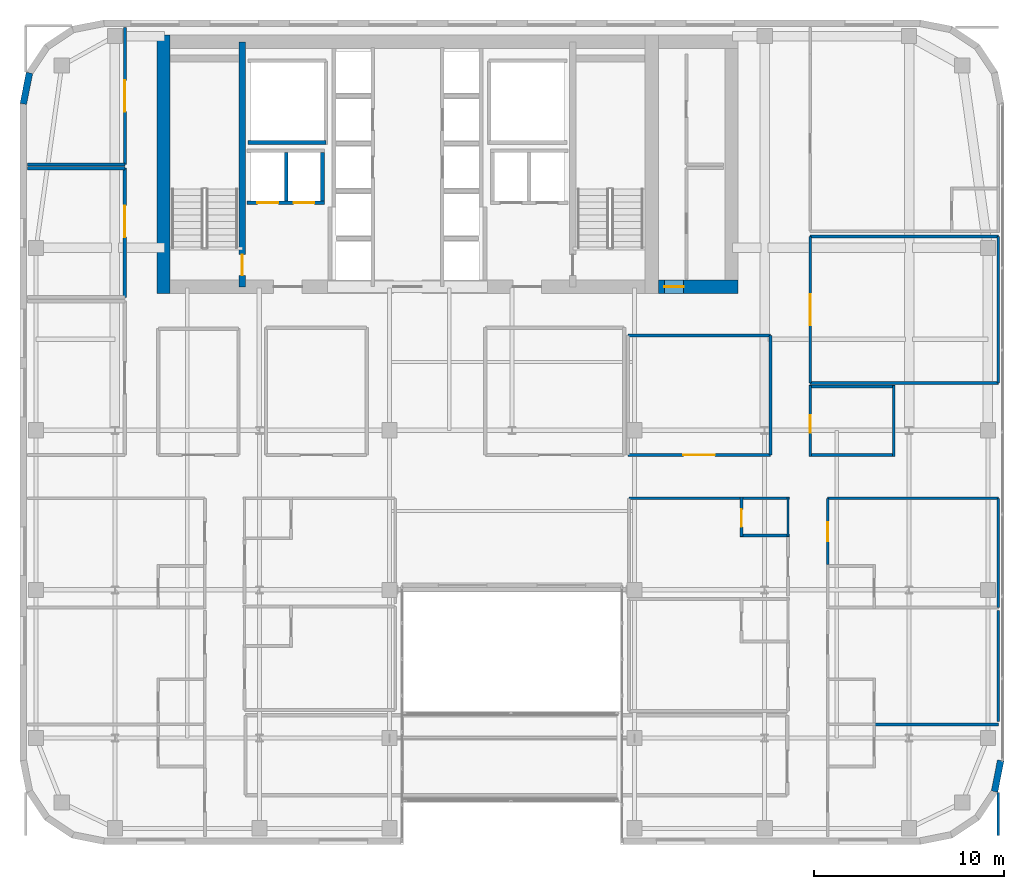
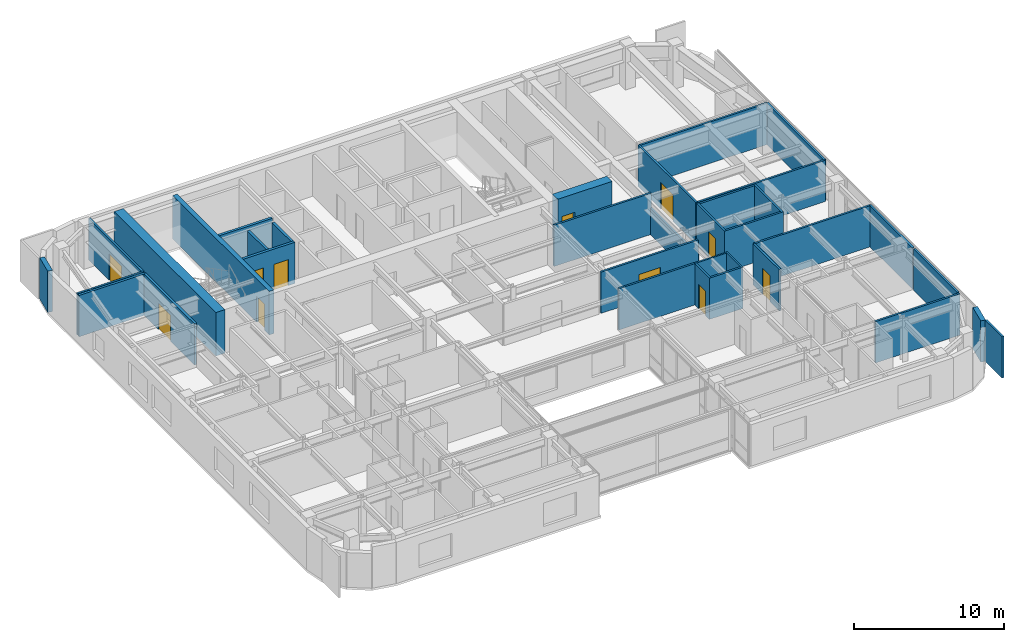
# One storey, part 16 of 20: 35 walls, 11 doors, 11 openings.
"""IFC4 building model written with IfcOpenShell, lengths in metres."""

from ifc_helpers import new_model, si_unit, direction, frame, frame_2d, origin, place, context, subcontext, project, spatial, rectangle, extrude, source, transform, mapped, material, layer, layer_set, type_object, type_shapes, element, fill, save


model = new_model("IFC4")

# Units and contexts
model_context = context("Model", 3, precision=1e-05, world=origin(), true_north=direction((0.0, 1.0)))
body_context = subcontext(model_context, "Body", "Model", "MODEL_VIEW")
ifc_project = project(units=[si_unit("LENGTHUNIT", "METRE"), si_unit("AREAUNIT", "SQUARE_METRE"), si_unit("VOLUMEUNIT", "CUBIC_METRE"), si_unit("PLANEANGLEUNIT", "RADIAN"), si_unit("MASSUNIT", "GRAM", prefix="KILO")], contexts=[model_context])

# Site, building, storey
site_placement = place(None, origin())
site = spatial("IfcSite", under=ifc_project, at=site_placement, CompositionType="ELEMENT")
building_placement = place(site_placement, origin())
building = spatial("IfcBuilding", under=site, at=building_placement, Name="Tolvann Quenvar Hotel", CompositionType="ELEMENT")
storey_placement = place(building_placement, frame((0.0, 0.0, 171.89990234375)))
storey = spatial("IfcBuildingStorey", under=building, at=storey_placement, Name="L45", CompositionType="ELEMENT", Elevation=171.89990234375)

# Wall
ifc_material_1 = material(Name="Concrete S65 (65 MPa)", Category="concrete")
ifc_layer_1 = layer(ifc_material_1, 0.699951171875)
ifc_layer_set_1 = layer_set([ifc_layer_1], Name="Concrete S65 (65 MPa)")
wall_type_1 = type_object("IfcWallType", Name="WALL_CORE_700", PredefinedType="SHEAR", material=ifc_layer_set_1)
wall_1_placement = place(storey_placement, frame((10.14990234375, 31.60009765625, 0.0), z_axis=(0.0, 0.0, 1.0), x_axis=(0.0, 1.0, 0.0)))
element("IfcWall", 1, at=wall_1_placement, inside=storey, type_object=wall_type_1, Name="Rear Core W Shear Wall (L45)", PredefinedType="SHEAR", context=body_context, shape_type="SweptSolid", body=[
    extrude(rectangle(XDim=13.599853515625, YDim=0.699951171875, at=frame_2d((6.7998046875, 0.0))), origin(), (0.0, 0.0, 1.0), 3.550048828125),
])

# Wall, opening, door
wall_2_placement = place(storey_placement, frame((36.199951171875, 31.949951171875, 0.0), z_axis=(0.0, 0.0, 1.0), x_axis=(1.0, 0.0, 0.0)))
wall_2 = element("IfcWall", 2, at=wall_2_placement, inside=storey, type_object=wall_type_1, Name="Core East Annex Shear Wall ANN-S (L45)", PredefinedType="SHEAR", context=body_context, shape_type="SweptSolid", body=[
    extrude(rectangle(XDim=4.199951171875, YDim=0.699951171875, at=frame_2d((2.10009765625, 0.0))), origin(), (0.0, 0.0, 1.0), 3.550048828125),
])
opening_1_placement = place(wall_2_placement, frame((1.340087890625, 0.0, 0.0), z_axis=(0.0, 0.0, 1.0), x_axis=(-1.0, 0.0, 0.0)))
opening_1 = element("IfcOpeningElement", 3, at=opening_1_placement, cuts=wall_2, Name="Opening HD-01", PredefinedType="OPENING", context=body_context, shape_type="SweptSolid", body=[
    extrude(rectangle(XDim=1.02001953125, YDim=2.030029296875, at=frame_2d((0.510009765625, 1.01513671875))), frame((0.0, 0.35986328125, 0.0), z_axis=(0.0, -1.0, 0.0), x_axis=(1.0, 0.0, 0.0)), (0.0, 0.0, 1.0), 0.719970703125),
])
ifc_material_2 = material(Name="Pressed galvanised steel fire-rated door set", Category="steel")
door_type_1 = type_object("IfcDoorType", Name="DOOR_BOH_1020", OperationType="NOTDEFINED", PredefinedType="DOOR", material=ifc_material_2)
shared_shape_1 = source(origin(), body_context, "Body", "SweptSolid", [
    extrude(rectangle(XDim=1.02001953125, YDim=2.030029296875, at=frame_2d((0.510009765625, 1.01513671875))), frame((0.0, 0.02490234375, 0.0), z_axis=(0.0, -1.0, 0.0), x_axis=(1.0, 0.0, 0.0)), (0.0, 0.0, 1.0), 0.050048828125),
])
type_shapes(door_type_1, [shared_shape_1])
door_1_placement = place(opening_1_placement, origin())
door_1 = element("IfcDoor", 4, at=door_1_placement, inside=storey, type_object=door_type_1, Name="Housekeeping Annex Fire Door (L45)", OperationType="SINGLE_SWING_RIGHT", OverallHeight=2.030029296875, OverallWidth=1.02001953125, PredefinedType="DOOR", context=body_context, shape_type="MappedRepresentation", body=[
    mapped(shared_shape_1, transform((0.0, 0.0, 0.0), x_axis=(1.0, 0.0, 0.0), y_axis=(0.0, 1.0, 0.0), z_axis=(0.0, 0.0, 1.0), scale=1.0)),
])
fill(opening_1, door_1)

ifc_layer_2 = layer(ifc_material_1, 0.35009765625)
ifc_layer_set_2 = layer_set([ifc_layer_2], Name="Concrete S65 (65 MPa)")
wall_type_2 = type_object("IfcWallType", Name="WALL_CORE_INT_350", PredefinedType="SHEAR", material=ifc_layer_set_2)
wall_3_placement = place(storey_placement, frame((14.300048828125, 31.949951171875, 0.0), z_axis=(0.0, 0.0, 1.0), x_axis=(0.0, 1.0, 0.0)))
wall_3 = element("IfcWall", 5, at=wall_3_placement, inside=storey, type_object=wall_type_2, Name="Core Internal Web Shear Wall WEB-W (L45)", PredefinedType="SHEAR", context=body_context, shape_type="SweptSolid", body=[
    extrude(rectangle(XDim=12.900146484375, YDim=0.35009765625, at=frame_2d((6.4501953125, 0.0))), origin(), (0.0, 0.0, 1.0), 3.550048828125),
])
opening_2_placement = place(wall_3_placement, frame((0.60009765625, 0.0, 0.0)))
opening_2 = element("IfcOpeningElement", 6, at=opening_2_placement, cuts=wall_3, Name="Opening FD-120", PredefinedType="OPENING", context=body_context, shape_type="SweptSolid", body=[
    extrude(rectangle(XDim=1.10009765625, YDim=2.1201171875, at=frame_2d((0.550048828125, 1.06005859375))), frame((0.0, 0.18505859375, 0.0), z_axis=(0.0, -1.0, 0.0), x_axis=(1.0, 0.0, 0.0)), (0.0, 0.0, 1.0), 0.3701171875),
])
door_type_2 = type_object("IfcDoorType", Name="DOOR_FIRE_STAIR_1100", OperationType="NOTDEFINED", PredefinedType="DOOR", material=ifc_material_2)
shared_shape_2 = source(origin(), body_context, "Body", "SweptSolid", [
    extrude(rectangle(XDim=1.10009765625, YDim=2.1201171875, at=frame_2d((0.550048828125, 1.06005859375))), frame((0.0, 0.02490234375, 0.0), z_axis=(0.0, -1.0, 0.0), x_axis=(1.0, 0.0, 0.0)), (0.0, 0.0, 1.0), 0.050048828125),
])
type_shapes(door_type_2, [shared_shape_2])
door_2_placement = place(opening_2_placement, origin())
door_2 = element("IfcDoor", 7, at=door_2_placement, inside=storey, type_object=door_type_2, Name="Exit Stair ST-C1 Fire Door (L45)", OperationType="SINGLE_SWING_RIGHT", OverallHeight=2.1201171875, OverallWidth=1.10009765625, PredefinedType="DOOR", context=body_context, shape_type="MappedRepresentation", body=[
    mapped(shared_shape_2, transform((0.0, 0.0, 0.0), x_axis=(1.0, 0.0, 0.0), y_axis=(0.0, 1.0, 0.0), z_axis=(0.0, 0.0, 1.0), scale=1.0)),
])
fill(opening_2, door_2)

# Walls
ifc_material_3 = material(Name="Kiln-fired red and buff architectural clay brickwork and terracotta masonry", Category="masonry")
ifc_layer_3 = layer(ifc_material_3, 0.35009765625)
ifc_layer_set_3 = layer_set([ifc_layer_3], Name="Kiln-fired red and buff architectural clay brickwork and terracotta masonry")
wall_type_3 = type_object("IfcWallType", Name="WALL_EXT_BRICK_350", PredefinedType="SOLIDWALL", material=ifc_layer_set_3)
wall_4_placement = place(storey_placement, frame((53.900390625, 5.384521484375, 0.0), z_axis=(0.0, 0.0, 1.0), x_axis=(0.195072403631, 0.980788844421, 0.0)))
element("IfcWall", 8, at=wall_4_placement, inside=storey, type_object=wall_type_3, Name="Exterior Chicago Brick Wall L45-E12", PredefinedType="SOLIDWALL", context=body_context, shape_type="SweptSolid", body=[
    extrude(rectangle(XDim=1.66455078125, YDim=0.35009765625, at=frame_2d((0.832275390625, 0.0))), origin(), (0.0, 0.0, 1.0), 3.3701171875),
])
wall_5_placement = place(storey_placement, frame((3.099609375, 43.215576171875, 0.0), z_axis=(0.0, 0.0, 1.0), x_axis=(-0.195044345786, -0.980794424524, 0.0)))
element("IfcWall", 9, at=wall_5_placement, inside=storey, type_object=wall_type_3, Name="Exterior Chicago Brick Wall L45-E22", PredefinedType="SOLIDWALL", context=body_context, shape_type="SweptSolid", body=[
    extrude(rectangle(XDim=1.664794921875, YDim=0.35009765625, at=frame_2d((0.83251953125, 0.0))), origin(), (0.0, 0.0, 1.0), 3.3701171875),
])
ifc_material_4 = material(Name="Acoustic twin-stud fire-rated gypsum plasterboard partition")
ifc_layer_4 = layer(ifc_material_4, 0.179931640625)
ifc_layer_set_4 = layer_set([ifc_layer_4], Name="Acoustic twin-stud fire-rated gypsum plasterboard partition")
wall_type_4 = type_object("IfcWallType", Name="WALL_PART_ACOUSTIC_180", PredefinedType="PARTITIONING", material=ifc_layer_set_4)
wall_6_placement = place(storey_placement, frame((3.0048828125, 38.199951171875, 0.0), z_axis=(0.0, 0.0, 1.0), x_axis=(1.0, 0.0, 0.0)))
element("IfcWall", 10, at=wall_6_placement, inside=storey, type_object=wall_type_4, Name="Interior Partition PT-SPC-L45-MTG-N", PredefinedType="PARTITIONING", context=body_context, shape_type="SweptSolid", body=[
    extrude(rectangle(XDim=5.115234375, YDim=0.179931640625, at=frame_2d((2.5576171875, 0.0))), origin(), (0.0, 0.0, 1.0), 3.3701171875),
])

# Wall, opening, door
wall_7_placement = place(storey_placement, frame((8.1201171875, 31.39990234375, 0.0), z_axis=(0.0, 0.0, 1.0), x_axis=(0.0, 1.0, 0.0)))
wall_7 = element("IfcWall", 11, at=wall_7_placement, inside=storey, type_object=wall_type_4, Name="Interior Partition PT-SPC-L45-MTG-E", PredefinedType="PARTITIONING", context=body_context, shape_type="SweptSolid", body=[
    extrude(rectangle(XDim=6.800048828125, YDim=0.179931640625, at=frame_2d((3.39990234375, 0.0))), origin(), (0.0, 0.0, 1.0), 3.3701171875),
])
opening_3_placement = place(wall_7_placement, frame((3.175048828125, 0.0, 0.0)))
opening_3 = element("IfcOpeningElement", 12, at=opening_3_placement, cuts=wall_7, Name="Opening AD-01", PredefinedType="OPENING", context=body_context, shape_type="SweptSolid", body=[
    extrude(rectangle(XDim=1.64990234375, YDim=2.14990234375, at=frame_2d((0.824951171875, 1.074951171875))), frame((0.0, 0.10009765625, 0.0), z_axis=(0.0, -1.0, 0.0), x_axis=(1.0, 0.0, 0.0)), (0.0, 0.0, 1.0), 0.199951171875),
])
ifc_material_5 = material(Name="Solid-core American oak acoustic fire door leaf in steel frame", Category="steel")
door_type_3 = type_object("IfcDoorType", Name="DOOR_SALON_1650", OperationType="NOTDEFINED", PredefinedType="DOOR", material=ifc_material_5)
shared_shape_3 = source(origin(), body_context, "Body", "SweptSolid", [
    extrude(rectangle(XDim=1.64990234375, YDim=2.14990234375, at=frame_2d((0.824951171875, 1.074951171875))), frame((0.0, 0.02490234375, 0.0), z_axis=(0.0, -1.0, 0.0), x_axis=(1.0, 0.0, 0.0)), (0.0, 0.0, 1.0), 0.050048828125),
])
type_shapes(door_type_3, [shared_shape_3])
door_3_placement = place(opening_3_placement, origin())
door_3 = element("IfcDoor", 13, at=door_3_placement, inside=storey, type_object=door_type_3, Name="Interior Door DOOR-SPC-L45-MTG", OperationType="DOUBLE_DOOR_SINGLE_SWING", OverallHeight=2.14990234375, OverallWidth=1.64990234375, PredefinedType="DOOR", context=body_context, shape_type="MappedRepresentation", body=[
    mapped(shared_shape_3, transform((0.0, 0.0, 0.0), x_axis=(1.0, 0.0, 0.0), y_axis=(0.0, 1.0, 0.0), z_axis=(0.0, 0.0, 1.0), scale=1.0)),
])
fill(opening_3, door_3)

# Walls
ifc_material_6 = material(Name="Moisture-resistant acoustic plumbing wall assembly")
ifc_layer_5 = layer(ifc_material_6, 0.1201171875)
ifc_layer_set_5 = layer_set([ifc_layer_5], Name="Moisture-resistant acoustic plumbing wall assembly")
wall_type_5 = type_object("IfcWallType", Name="WALL_PART_BATH_120", PredefinedType="PLUMBINGWALL", material=ifc_layer_set_5)
wall_8_placement = place(storey_placement, frame((40.510009765625, 20.820068359375, 0.0), z_axis=(0.0, 0.0, 1.0), x_axis=(1.0, 0.0, 0.0)))
element("IfcWall", 14, at=wall_8_placement, inside=storey, type_object=wall_type_5, Name="Non-Rated Plumbing Partition PT-SPC-L45-ENS-EI02-N", PredefinedType="PLUMBINGWALL", context=body_context, shape_type="SweptSolid", body=[
    extrude(rectangle(XDim=2.590087890625, YDim=0.1201171875, at=frame_2d((1.294921875, 0.0))), origin(), (0.0, 0.0, 1.0), 3.3701171875),
])
wall_9_placement = place(storey_placement, frame((43.030029296875, 18.797119140625, 0.0), z_axis=(0.0, 0.0, 1.0), x_axis=(0.0, 1.0, 0.0)))
element("IfcWall", 15, at=wall_9_placement, inside=storey, type_object=wall_type_5, Name="Non-Rated Plumbing Partition PT-SPC-L45-ENS-EI02-E", PredefinedType="PLUMBINGWALL", context=body_context, shape_type="SweptSolid", body=[
    extrude(rectangle(XDim=2.0927734375, YDim=0.1201171875, at=frame_2d((1.04638671875, 0.0))), origin(), (0.0, 0.0, 1.0), 3.3701171875),
])

# Wall, opening, door
ifc_layer_6 = layer(ifc_material_4, 0.14990234375)
ifc_layer_set_6 = layer_set([ifc_layer_6], Name="Acoustic twin-stud fire-rated gypsum plasterboard partition")
wall_type_6 = type_object("IfcWallType", Name="WALL_PART_SUITE_150", PredefinedType="PARTITIONING", material=ifc_layer_set_6)
wall_10_placement = place(storey_placement, frame((40.580078125, 18.797119140625, 0.0), z_axis=(0.0, 0.0, 1.0), x_axis=(0.0, 1.0, 0.0)))
wall_10 = element("IfcWall", 16, at=wall_10_placement, inside=storey, type_object=wall_type_6, Name="Interior Partition PT-SPC-L45-ENS-EI02-ENT", PredefinedType="PARTITIONING", context=body_context, shape_type="SweptSolid", body=[
    extrude(rectangle(XDim=2.0927734375, YDim=0.14990234375, at=frame_2d((1.04638671875, 0.0))), origin(), (0.0, 0.0, 1.0), 3.3701171875),
])
opening_4_placement = place(wall_10_placement, frame((0.5166015625, 0.0, 0.0)))
opening_4 = element("IfcOpeningElement", 17, at=opening_4_placement, cuts=wall_10, Name="Opening WD-01", PredefinedType="OPENING", context=body_context, shape_type="SweptSolid", body=[
    extrude(rectangle(XDim=0.919921875, YDim=2.010009765625, at=frame_2d((0.4599609375, 1.0048828125))), frame((0.0, 0.0849609375, 0.0), z_axis=(0.0, -1.0, 0.0), x_axis=(1.0, 0.0, 0.0)), (0.0, 0.0, 1.0), 0.169921875),
])
door_type_4 = type_object("IfcDoorType", Name="DOOR_WC_920", OperationType="NOTDEFINED", PredefinedType="DOOR", material=ifc_material_5)
shared_shape_4 = source(origin(), body_context, "Body", "SweptSolid", [
    extrude(rectangle(XDim=0.919921875, YDim=2.010009765625, at=frame_2d((0.4599609375, 1.0048828125))), frame((0.0, 0.02490234375, 0.0), z_axis=(0.0, -1.0, 0.0), x_axis=(1.0, 0.0, 0.0)), (0.0, 0.0, 1.0), 0.050048828125),
])
type_shapes(door_type_4, [shared_shape_4])
door_4_placement = place(opening_4_placement, origin())
door_4 = element("IfcDoor", 18, at=door_4_placement, inside=storey, type_object=door_type_4, Name="Interior Door DOOR-SPC-L45-ENS-EI02", OperationType="SINGLE_SWING_RIGHT", OverallHeight=2.010009765625, OverallWidth=0.919921875, PredefinedType="DOOR", context=body_context, shape_type="MappedRepresentation", body=[
    mapped(shared_shape_4, transform((0.0, 0.0, 0.0), x_axis=(1.0, 0.0, 0.0), y_axis=(0.0, 1.0, 0.0), z_axis=(0.0, 0.0, 1.0), scale=1.0)),
])
fill(opening_4, door_4)

# Walls
wall_11_placement = place(storey_placement, frame((40.510009765625, 18.866943359375, 0.0), z_axis=(0.0, 0.0, 1.0), x_axis=(1.0, 0.0, 0.0)))
element("IfcWall", 19, at=wall_11_placement, inside=storey, type_object=wall_type_6, Name="Interior Partition PT-SPC-L45-ENS-EI02-S", PredefinedType="PARTITIONING", context=body_context, shape_type="SweptSolid", body=[
    extrude(rectangle(XDim=2.590087890625, YDim=0.14990234375, at=frame_2d((1.294921875, 0.0))), origin(), (0.0, 0.0, 1.0), 3.3701171875),
])
wall_12_placement = place(storey_placement, frame((34.64990234375, 20.820068359375, 0.0), z_axis=(0.0, 0.0, 1.0), x_axis=(1.0, 0.0, 0.0)))
element("IfcWall", 20, at=wall_12_placement, inside=storey, type_object=wall_type_6, Name="Interior Partition PT-SPC-L45-RM-EI02-E5", PredefinedType="PARTITIONING", context=body_context, shape_type="SweptSolid", body=[
    extrude(rectangle(XDim=5.91015625, YDim=0.14990234375, at=frame_2d((2.955078125, 0.0))), origin(), (0.0, 0.0, 1.0), 3.3701171875),
])
wall_13_placement = place(storey_placement, frame((54.10009765625, 3.080078125, 0.0), z_axis=(0.0, 0.0, 1.0), x_axis=(0.0, 1.0, 0.0)))
element("IfcWall", 21, at=wall_13_placement, inside=storey, type_object=wall_type_6, Name="Interior Partition PT-SPC-L45-RM-EO01-E2", PredefinedType="PARTITIONING", context=body_context, shape_type="SweptSolid", body=[
    extrude(rectangle(XDim=2.264892578125, YDim=0.14990234375, at=frame_2d((1.13232421875, 0.0))), origin(), (0.0, 0.0, 1.0), 3.3701171875),
])
wall_14_placement = place(storey_placement, frame((47.590087890625, 8.919921875, 0.0), z_axis=(0.0, 0.0, 1.0), x_axis=(1.0, 0.0, 0.0)))
element("IfcWall", 22, at=wall_14_placement, inside=storey, type_object=wall_type_6, Name="Interior Partition PT-SPC-L45-RM-EO01-E3", PredefinedType="PARTITIONING", context=body_context, shape_type="SweptSolid", body=[
    extrude(rectangle(XDim=6.510009765625, YDim=0.14990234375, at=frame_2d((3.2548828125, 0.0))), origin(), (0.0, 0.0, 1.0), 3.3701171875),
])
wall_15_placement = place(storey_placement, frame((54.10009765625, 9.080078125, 0.0), z_axis=(0.0, 0.0, 1.0), x_axis=(0.0, 1.0, 0.0)))
element("IfcWall", 23, at=wall_15_placement, inside=storey, type_object=wall_type_6, Name="Interior Partition PT-SPC-L45-RM-EO02-E4", PredefinedType="PARTITIONING", context=body_context, shape_type="SweptSolid", body=[
    extrude(rectangle(XDim=5.83984375, YDim=0.14990234375, at=frame_2d((2.919921875, 0.0))), origin(), (0.0, 0.0, 1.0), 3.3701171875),
])

# Wall, opening, door
wall_16_placement = place(storey_placement, frame((45.1201171875, 17.341064453125, 0.0), z_axis=(0.0, 0.0, 1.0), x_axis=(0.0, 1.0, 0.0)))
wall_16 = element("IfcWall", 24, at=wall_16_placement, inside=storey, type_object=wall_type_6, Name="Interior Partition PT-SPC-L45-RM-EO03-ENT", PredefinedType="PARTITIONING", context=body_context, shape_type="SweptSolid", body=[
    extrude(rectangle(XDim=3.47900390625, YDim=0.14990234375, at=frame_2d((1.739501953125, 0.0))), origin(), (0.0, 0.0, 1.0), 3.3701171875),
])
opening_5_placement = place(wall_16_placement, frame((1.2294921875, 0.0, 0.0)))
opening_5 = element("IfcOpeningElement", 25, at=opening_5_placement, cuts=wall_16, Name="Opening SD-01", PredefinedType="OPENING", context=body_context, shape_type="SweptSolid", body=[
    extrude(rectangle(XDim=0.97998046875, YDim=2.1201171875, at=frame_2d((0.489990234375, 1.06005859375))), frame((0.0, 0.0849609375, 0.0), z_axis=(0.0, -1.0, 0.0), x_axis=(1.0, 0.0, 0.0)), (0.0, 0.0, 1.0), 0.169921875),
])
door_type_5 = type_object("IfcDoorType", Name="DOOR_SUITE_980", OperationType="NOTDEFINED", PredefinedType="DOOR", material=ifc_material_5)
shared_shape_5 = source(origin(), body_context, "Body", "SweptSolid", [
    extrude(rectangle(XDim=0.97998046875, YDim=2.1201171875, at=frame_2d((0.489990234375, 1.06005859375))), frame((0.0, 0.02490234375, 0.0), z_axis=(0.0, -1.0, 0.0), x_axis=(1.0, 0.0, 0.0)), (0.0, 0.0, 1.0), 0.050048828125),
])
type_shapes(door_type_5, [shared_shape_5])
door_5_placement = place(opening_5_placement, origin())
door_5 = element("IfcDoor", 26, at=door_5_placement, inside=storey, type_object=door_type_5, Name="Interior Door DOOR-SPC-L45-RM-EO03", OperationType="SINGLE_SWING_RIGHT", OverallHeight=2.1201171875, OverallWidth=0.97998046875, PredefinedType="DOOR", context=body_context, shape_type="MappedRepresentation", body=[
    mapped(shared_shape_5, transform((0.0, 0.0, 0.0), x_axis=(1.0, 0.0, 0.0), y_axis=(0.0, 1.0, 0.0), z_axis=(0.0, 0.0, 1.0), scale=1.0)),
])
fill(opening_5, door_5)

# Walls
wall_17_placement = place(storey_placement, frame((54.10009765625, 15.080078125, 0.0), z_axis=(0.0, 0.0, 1.0), x_axis=(0.0, 1.0, 0.0)))
element("IfcWall", 27, at=wall_17_placement, inside=storey, type_object=wall_type_6, Name="Interior Partition PT-SPC-L45-RM-EO03-E4", PredefinedType="PARTITIONING", context=body_context, shape_type="SweptSolid", body=[
    extrude(rectangle(XDim=5.739990234375, YDim=0.14990234375, at=frame_2d((2.8701171875, 0.0))), origin(), (0.0, 0.0, 1.0), 3.3701171875),
])
wall_18_placement = place(storey_placement, frame((45.1201171875, 20.820068359375, 0.0), z_axis=(0.0, 0.0, 1.0), x_axis=(1.0, 0.0, 0.0)))
element("IfcWall", 28, at=wall_18_placement, inside=storey, type_object=wall_type_6, Name="Interior Partition PT-SPC-L45-RM-EO03-E5", PredefinedType="PARTITIONING", context=body_context, shape_type="SweptSolid", body=[
    extrude(rectangle(XDim=8.97998046875, YDim=0.14990234375, at=frame_2d((4.489990234375, 0.0))), origin(), (0.0, 0.0, 1.0), 3.3701171875),
])
wall_19_placement = place(storey_placement, frame((3.0048828125, 38.39990234375, 0.0), z_axis=(0.0, 0.0, 1.0), x_axis=(1.0, 0.0, 0.0)))
element("IfcWall", 29, at=wall_19_placement, inside=storey, type_object=wall_type_6, Name="Interior Partition PT-SPC-L45-TEA-S", PredefinedType="PARTITIONING", context=body_context, shape_type="SweptSolid", body=[
    extrude(rectangle(XDim=5.115234375, YDim=0.14990234375, at=frame_2d((2.5576171875, 0.0))), origin(), (0.0, 0.0, 1.0), 3.3701171875),
])

# Wall, opening, door
wall_20_placement = place(storey_placement, frame((8.1201171875, 38.39990234375, 0.0), z_axis=(0.0, 0.0, 1.0), x_axis=(0.0, 1.0, 0.0)))
wall_20 = element("IfcWall", 30, at=wall_20_placement, inside=storey, type_object=wall_type_6, Name="Interior Partition PT-SPC-L45-TEA-E", PredefinedType="PARTITIONING", context=body_context, shape_type="SweptSolid", body=[
    extrude(rectangle(XDim=7.195068359375, YDim=0.14990234375, at=frame_2d((3.59765625, 0.0))), origin(), (0.0, 0.0, 1.0), 3.3701171875),
])
opening_6_placement = place(wall_20_placement, frame((2.7724609375, 0.0, 0.0)))
opening_6 = element("IfcOpeningElement", 31, at=opening_6_placement, cuts=wall_20, Name="Opening AD-01", PredefinedType="OPENING", context=body_context, shape_type="SweptSolid", body=[
    extrude(rectangle(XDim=1.64990234375, YDim=2.14990234375, at=frame_2d((0.824951171875, 1.074951171875))), frame((0.0, 0.0849609375, 0.0), z_axis=(0.0, -1.0, 0.0), x_axis=(1.0, 0.0, 0.0)), (0.0, 0.0, 1.0), 0.169921875),
])
door_6_placement = place(opening_6_placement, origin())
door_6 = element("IfcDoor", 32, at=door_6_placement, inside=storey, type_object=door_type_3, Name="Interior Door DOOR-SPC-L45-TEA", OperationType="DOUBLE_DOOR_SINGLE_SWING", OverallHeight=2.14990234375, OverallWidth=1.64990234375, PredefinedType="DOOR", context=body_context, shape_type="MappedRepresentation", body=[
    mapped(shared_shape_3, transform((0.0, 0.0, 0.0), x_axis=(1.0, 0.0, 0.0), y_axis=(0.0, 1.0, 0.0), z_axis=(0.0, 0.0, 1.0), scale=1.0)),
])
fill(opening_6, door_6)

wall_21_placement = place(storey_placement, frame((44.199951171875, 23.030029296875, 0.0), z_axis=(0.0, 0.0, 1.0), x_axis=(0.0, 1.0, 0.0)))
wall_21 = element("IfcWall", 33, at=wall_21_placement, inside=storey, type_object=wall_type_6, Name="Interior Partition PT-SPC-L45-WCA-ENT", PredefinedType="PARTITIONING", context=body_context, shape_type="SweptSolid", body=[
    extrude(rectangle(XDim=3.739990234375, YDim=0.14990234375, at=frame_2d((1.8701171875, 0.0))), origin(), (0.0, 0.0, 1.0), 3.3701171875),
])
opening_7_placement = place(wall_21_placement, frame((1.239990234375, 0.0, 0.0)))
opening_7 = element("IfcOpeningElement", 34, at=opening_7_placement, cuts=wall_21, Name="Opening WD-01", PredefinedType="OPENING", context=body_context, shape_type="SweptSolid", body=[
    extrude(rectangle(XDim=0.919921875, YDim=2.010009765625, at=frame_2d((0.4599609375, 1.0048828125))), frame((0.0, 0.0849609375, 0.0), z_axis=(0.0, -1.0, 0.0), x_axis=(1.0, 0.0, 0.0)), (0.0, 0.0, 1.0), 0.169921875),
])
door_7_placement = place(opening_7_placement, origin())
door_7 = element("IfcDoor", 35, at=door_7_placement, inside=storey, type_object=door_type_4, Name="Interior Door DOOR-SPC-L45-WCA", OperationType="SINGLE_SWING_LEFT", OverallHeight=2.010009765625, OverallWidth=0.919921875, PredefinedType="DOOR", context=body_context, shape_type="MappedRepresentation", body=[
    mapped(shared_shape_4, transform((0.0, 0.0, 0.0), x_axis=(1.0, 0.0, 0.0), y_axis=(0.0, 1.0, 0.0), z_axis=(0.0, 0.0, 1.0), scale=1.0)),
])
fill(opening_7, door_7)

# Walls
for number, where, z_axis, x_axis, name in (
    (36, (44.1298828125, 23.10009765625, 0.0), (0.0, 0.0, 1.0), (1.0, 0.0, 0.0), "Interior Partition PT-SPC-L45-WCA-S"),
    (37, (44.1298828125, 26.699951171875, 0.0), (0.0, 0.0, 1.0), (1.0, 0.0, 0.0), "Interior Partition PT-SPC-L45-WCA-N"),
):
    element("IfcWall", number, at=place(storey_placement, frame(where, z_axis=z_axis, x_axis=x_axis)), inside=storey, type_object=wall_type_6, Name=name, PredefinedType="PARTITIONING", context=body_context, shape_type="SweptSolid", body=[
        extrude(rectangle(XDim=4.5400390625, YDim=0.14990234375, at=frame_2d((2.27001953125, 0.0))), origin(), (0.0, 0.0, 1.0), 3.3701171875),
    ])
wall_22_placement = place(storey_placement, frame((48.60009765625, 23.030029296875, 0.0), z_axis=(0.0, 0.0, 1.0), x_axis=(0.0, 1.0, 0.0)))
element("IfcWall", 38, at=wall_22_placement, inside=storey, type_object=wall_type_6, Name="Interior Partition PT-SPC-L45-WCA-E", PredefinedType="PARTITIONING", context=body_context, shape_type="SweptSolid", body=[
    extrude(rectangle(XDim=3.739990234375, YDim=0.14990234375, at=frame_2d((1.8701171875, 0.0))), origin(), (0.0, 0.0, 1.0), 3.3701171875),
])
for number, where, z_axis, x_axis, name in (
    (39, (44.199951171875, 26.89990234375, 0.0), (0.0, 0.0, 1.0), (1.0, 0.0, 0.0), "Interior Partition PT-SPC-L45-SPA-S"),
    (40, (44.199951171875, 34.60009765625, 0.0), (0.0, 0.0, 1.0), (1.0, 0.0, 0.0), "Interior Partition PT-SPC-L45-SPA-N"),
):
    element("IfcWall", number, at=place(storey_placement, frame(where, z_axis=z_axis, x_axis=x_axis)), inside=storey, type_object=wall_type_6, Name=name, PredefinedType="PARTITIONING", context=body_context, shape_type="SweptSolid", body=[
        extrude(rectangle(XDim=9.900146484375, YDim=0.14990234375, at=frame_2d((4.9501953125, 0.0))), origin(), (0.0, 0.0, 1.0), 3.3701171875),
    ])

# Wall, opening, door
wall_23_placement = place(storey_placement, frame((44.199951171875, 26.89990234375, 0.0), z_axis=(0.0, 0.0, 1.0), x_axis=(0.0, 1.0, 0.0)))
wall_23 = element("IfcWall", 41, at=wall_23_placement, inside=storey, type_object=wall_type_6, Name="Interior Partition PT-SPC-L45-SPA-W", PredefinedType="PARTITIONING", context=body_context, shape_type="SweptSolid", body=[
    extrude(rectangle(XDim=7.7001953125, YDim=0.14990234375, at=frame_2d((3.85009765625, 0.0))), origin(), (0.0, 0.0, 1.0), 3.3701171875),
])
opening_8_placement = place(wall_23_placement, frame((3.02490234375, 0.0, 0.0)))
opening_8 = element("IfcOpeningElement", 42, at=opening_8_placement, cuts=wall_23, Name="Opening AD-01", PredefinedType="OPENING", context=body_context, shape_type="SweptSolid", body=[
    extrude(rectangle(XDim=1.64990234375, YDim=2.14990234375, at=frame_2d((0.824951171875, 1.074951171875))), frame((0.0, 0.0849609375, 0.0), z_axis=(0.0, -1.0, 0.0), x_axis=(1.0, 0.0, 0.0)), (0.0, 0.0, 1.0), 0.169921875),
])
door_8_placement = place(opening_8_placement, origin())
door_8 = element("IfcDoor", 43, at=door_8_placement, inside=storey, type_object=door_type_3, Name="Interior Door DOOR-SPC-L45-SPA", OperationType="DOUBLE_DOOR_SINGLE_SWING", OverallHeight=2.14990234375, OverallWidth=1.64990234375, PredefinedType="DOOR", context=body_context, shape_type="MappedRepresentation", body=[
    mapped(shared_shape_3, transform((0.0, 0.0, 0.0), x_axis=(1.0, 0.0, 0.0), y_axis=(0.0, 1.0, 0.0), z_axis=(0.0, 0.0, 1.0), scale=1.0)),
])
fill(opening_8, door_8)

# Wall
wall_24_placement = place(storey_placement, frame((54.10009765625, 26.89990234375, 0.0), z_axis=(0.0, 0.0, 1.0), x_axis=(0.0, 1.0, 0.0)))
element("IfcWall", 44, at=wall_24_placement, inside=storey, type_object=wall_type_6, Name="Interior Partition PT-SPC-L45-SPA-E", PredefinedType="PARTITIONING", context=body_context, shape_type="SweptSolid", body=[
    extrude(rectangle(XDim=7.7001953125, YDim=0.14990234375, at=frame_2d((3.85009765625, 0.0))), origin(), (0.0, 0.0, 1.0), 3.3701171875),
])

# Wall, opening, door
wall_25_placement = place(storey_placement, frame((34.60009765625, 23.10009765625, 0.0), z_axis=(0.0, 0.0, 1.0), x_axis=(1.0, 0.0, 0.0)))
wall_25 = element("IfcWall", 45, at=wall_25_placement, inside=storey, type_object=wall_type_6, Name="Interior Partition PT-SPC-L45-MSP-E-S", PredefinedType="PARTITIONING", context=body_context, shape_type="SweptSolid", body=[
    extrude(rectangle(XDim=7.5, YDim=0.14990234375, at=frame_2d((3.75, 0.0))), origin(), (0.0, 0.0, 1.0), 3.3701171875),
])
opening_9_placement = place(wall_25_placement, frame((2.925048828125, 0.0, 0.0)))
opening_9 = element("IfcOpeningElement", 46, at=opening_9_placement, cuts=wall_25, Name="Opening AD-01", PredefinedType="OPENING", context=body_context, shape_type="SweptSolid", body=[
    extrude(rectangle(XDim=1.64990234375, YDim=2.14990234375, at=frame_2d((0.824951171875, 1.074951171875))), frame((0.0, 0.0849609375, 0.0), z_axis=(0.0, -1.0, 0.0), x_axis=(1.0, 0.0, 0.0)), (0.0, 0.0, 1.0), 0.169921875),
])
door_9_placement = place(opening_9_placement, origin())
door_9 = element("IfcDoor", 47, at=door_9_placement, inside=storey, type_object=door_type_3, Name="Interior Door DOOR-SPC-L45-MSP-E", OperationType="DOUBLE_DOOR_SINGLE_SWING", OverallHeight=2.14990234375, OverallWidth=1.64990234375, PredefinedType="DOOR", context=body_context, shape_type="MappedRepresentation", body=[
    mapped(shared_shape_3, transform((0.0, 0.0, 0.0), x_axis=(1.0, 0.0, 0.0), y_axis=(0.0, 1.0, 0.0), z_axis=(0.0, 0.0, 1.0), scale=1.0)),
])
fill(opening_9, door_9)

# Walls
wall_26_placement = place(storey_placement, frame((34.60009765625, 29.39990234375, 0.0), z_axis=(0.0, 0.0, 1.0), x_axis=(1.0, 0.0, 0.0)))
element("IfcWall", 48, at=wall_26_placement, inside=storey, type_object=wall_type_6, Name="Interior Partition PT-SPC-L45-MSP-E-N", PredefinedType="PARTITIONING", context=body_context, shape_type="SweptSolid", body=[
    extrude(rectangle(XDim=7.5, YDim=0.14990234375, at=frame_2d((3.75, 0.0))), origin(), (0.0, 0.0, 1.0), 3.3701171875),
])
wall_27_placement = place(storey_placement, frame((42.10009765625, 23.10009765625, 0.0), z_axis=(0.0, 0.0, 1.0), x_axis=(0.0, 1.0, 0.0)))
element("IfcWall", 49, at=wall_27_placement, inside=storey, type_object=wall_type_6, Name="Interior Partition PT-SPC-L45-MSP-E-E", PredefinedType="PARTITIONING", context=body_context, shape_type="SweptSolid", body=[
    extrude(rectangle(XDim=6.2998046875, YDim=0.14990234375, at=frame_2d((3.14990234375, 0.0))), origin(), (0.0, 0.0, 1.0), 2.16015625),
])
ifc_material_7 = material(Name="Concrete N40 (40 MPa)", Category="concrete")
ifc_layer_7 = layer(ifc_material_7, 0.199951171875)
ifc_layer_set_7 = layer_set([ifc_layer_7], Name="Concrete N40 (40 MPa)")
wall_type_7 = type_object("IfcWallType", Name="WALL_SHAFT_200", PredefinedType="SOLIDWALL", material=ifc_layer_set_7)
wall_28_placement = place(storey_placement, frame((14.60009765625, 39.550048828125, 0.0), z_axis=(0.0, 0.0, 1.0), x_axis=(1.0, 0.0, 0.0)))
element("IfcWall", 50, at=wall_28_placement, inside=storey, type_object=wall_type_7, Name="Service Riser W Shaft Wall S (L45)", PredefinedType="SOLIDWALL", context=body_context, shape_type="SweptSolid", body=[
    extrude(rectangle(XDim=4.099853515625, YDim=0.199951171875, at=frame_2d((2.0498046875, 0.0))), origin(), (0.0, 0.0, 1.0), 3.3701171875),
])

# Wall, openings, doors
wall_29_placement = place(storey_placement, frame((14.550048828125, 36.3798828125, 0.0), z_axis=(0.0, 0.0, 1.0), x_axis=(1.0, 0.0, 0.0)))
wall_29 = element("IfcWall", 51, at=wall_29_placement, inside=storey, type_object=wall_type_7, Name="Lift Bank SWC1 Hoistway Front Wall (L45)", PredefinedType="SOLIDWALL", context=body_context, shape_type="SweptSolid", body=[
    extrude(rectangle(XDim=4.074951171875, YDim=0.199951171875, at=frame_2d((2.03759765625, 0.0))), origin(), (0.0, 0.0, 1.0), 3.3701171875),
])
opening_10_placement = place(wall_29_placement, frame((0.550048828125, 0.0, 0.0)))
opening_10 = element("IfcOpeningElement", 52, at=opening_10_placement, cuts=wall_29, Name="Opening LD-01", PredefinedType="OPENING", context=body_context, shape_type="SweptSolid", body=[
    extrude(rectangle(XDim=1.10009765625, YDim=2.1201171875, at=frame_2d((0.550048828125, 1.06005859375))), frame((0.0, 0.10986328125, 0.0), z_axis=(0.0, -1.0, 0.0), x_axis=(1.0, 0.0, 0.0)), (0.0, 0.0, 1.0), 0.219970703125),
])
opening_11_placement = place(wall_29_placement, frame((2.449951171875, 0.0, 0.0)))
opening_11 = element("IfcOpeningElement", 53, at=opening_11_placement, cuts=wall_29, Name="Opening LD-01", PredefinedType="OPENING", context=body_context, shape_type="SweptSolid", body=[
    extrude(rectangle(XDim=1.10009765625, YDim=2.1201171875, at=frame_2d((0.550048828125, 1.06005859375))), frame((0.0, 0.10986328125, 0.0), z_axis=(0.0, -1.0, 0.0), x_axis=(1.0, 0.0, 0.0)), (0.0, 0.0, 1.0), 0.219970703125),
])
ifc_material_8 = material(Name="Brushed 316 stainless steel automatic sliding lift landing door", Category="steel")
door_type_6 = type_object("IfcDoorType", Name="DOOR_LIFT_SLIDE_1100", OperationType="NOTDEFINED", PredefinedType="DOOR", material=ifc_material_8)
shared_shape_6 = source(origin(), body_context, "Body", "SweptSolid", [
    extrude(rectangle(XDim=1.10009765625, YDim=2.1201171875, at=frame_2d((0.550048828125, 1.06005859375))), frame((0.0, 0.02490234375, 0.0), z_axis=(0.0, -1.0, 0.0), x_axis=(1.0, 0.0, 0.0)), (0.0, 0.0, 1.0), 0.050048828125),
])
type_shapes(door_type_6, [shared_shape_6])
door_10_placement = place(opening_10_placement, origin())
door_10 = element("IfcDoor", 54, at=door_10_placement, inside=storey, type_object=door_type_6, Name="Lift FF-1 Sliding Landing Door (L45)", OperationType="SLIDING_TO_LEFT", OverallHeight=2.1201171875, OverallWidth=1.10009765625, PredefinedType="DOOR", context=body_context, shape_type="MappedRepresentation", body=[
    mapped(shared_shape_6, transform((0.0, 0.0, 0.0), x_axis=(1.0, 0.0, 0.0), y_axis=(0.0, 1.0, 0.0), z_axis=(0.0, 0.0, 1.0), scale=1.0)),
])
fill(opening_10, door_10)
door_11_placement = place(opening_11_placement, origin())
door_11 = element("IfcDoor", 55, at=door_11_placement, inside=storey, type_object=door_type_6, Name="Lift SV-1 Sliding Landing Door (L45)", OperationType="SLIDING_TO_RIGHT", OverallHeight=2.1201171875, OverallWidth=1.10009765625, PredefinedType="DOOR", context=body_context, shape_type="MappedRepresentation", body=[
    mapped(shared_shape_6, transform((0.0, 0.0, 0.0), x_axis=(1.0, 0.0, 0.0), y_axis=(0.0, 1.0, 0.0), z_axis=(0.0, 0.0, 1.0), scale=1.0)),
])
fill(opening_11, door_11)

# Walls
for number, where, z_axis, x_axis, name in (
    (56, (18.52490234375, 36.47998046875, 0.0), (0.0, 0.0, 1.0), (0.0, 1.0, 0.0), "Lift Bank SWC1 Hoistway Cheek Wall 2 (L45)"),
    (57, (16.612548828125, 36.47998046875, 0.0), (0.0, 0.0, 1.0), (0.0, 1.0, 0.0), "Lift Bank SWC1 Divider Wall 1 (L45)"),
):
    element("IfcWall", number, at=place(storey_placement, frame(where, z_axis=z_axis, x_axis=x_axis)), inside=storey, type_object=wall_type_7, Name=name, PredefinedType="SOLIDWALL", context=body_context, shape_type="SweptSolid", body=[
        extrude(rectangle(XDim=2.5400390625, YDim=0.199951171875, at=frame_2d((1.27001953125, 0.0))), origin(), (0.0, 0.0, 1.0), 3.3701171875),
    ])

save(model, "model.ifc")
